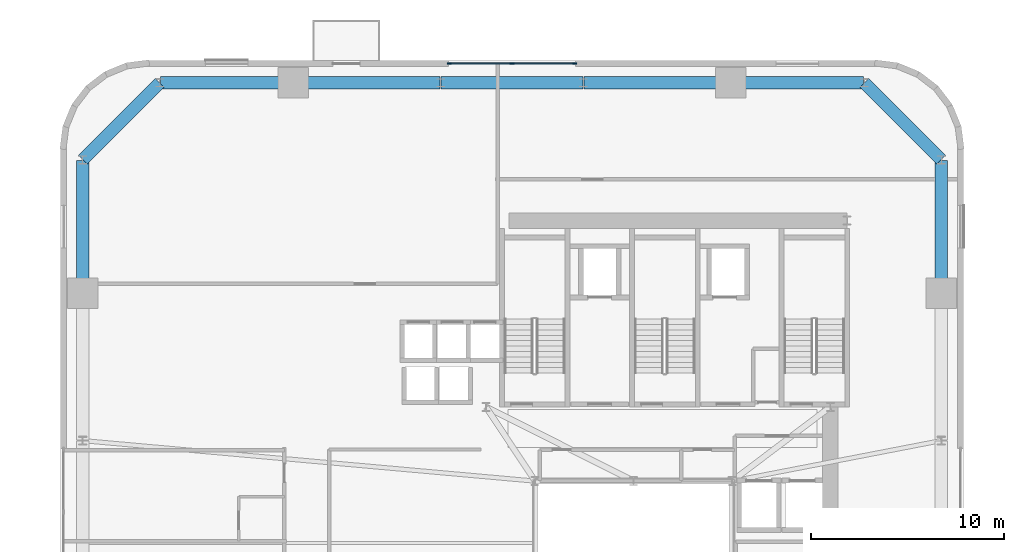
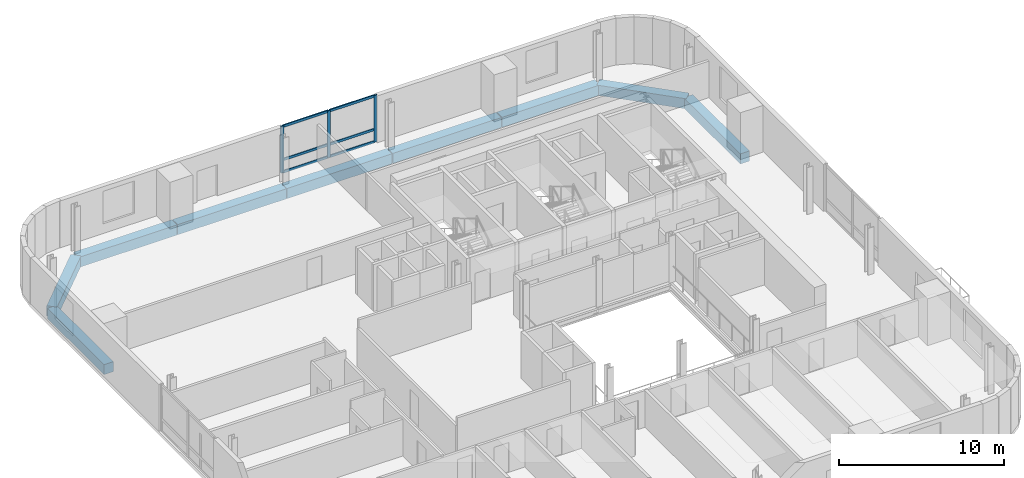
# One storey, part 4 of 14: 9 beams, 9 members, 1 element without a shape of its own.
"""IFC4 building model written with IfcOpenShell, lengths in metres."""

from ifc_helpers import new_model, si_unit, direction, frame, origin, origin_2d, place, context, subcontext, project, spatial, rectangle, extrude, source, transform, mapped, material, material_profile, profile_set, type_object, element, aggregate, save


model = new_model("IFC4")

# Units and contexts
model_context = context("Model", 3, precision=1e-05, world=origin(), true_north=direction((0.0, 1.0)))
body_context = subcontext(model_context, "Body", "Model", "MODEL_VIEW")
ifc_project = project(units=[si_unit("LENGTHUNIT", "METRE"), si_unit("AREAUNIT", "SQUARE_METRE"), si_unit("VOLUMEUNIT", "CUBIC_METRE"), si_unit("PLANEANGLEUNIT", "RADIAN"), si_unit("MASSUNIT", "GRAM", prefix="KILO")], contexts=[model_context])

# Site, building, storey
site_placement = place(None, origin())
site = spatial("IfcSite", under=ifc_project, at=site_placement, CompositionType="ELEMENT")
building_placement = place(site_placement, origin())
building = spatial("IfcBuilding", under=site, at=building_placement, Name="Vardaveli Station Tower", CompositionType="ELEMENT")
storey_placement = place(building_placement, frame((0.0, 0.0, 129.800048828125)))
storey = spatial("IfcBuildingStorey", under=building, at=storey_placement, Name="L33", CompositionType="ELEMENT", Elevation=129.800048828125)

# Beams
ifc_material_1 = material(Name="Precast concrete C45/55", Category="concrete")
ifc_material_profile_1 = material_profile(ifc_material_1, rectangle(XDim=0.64990234375, YDim=0.75, at=origin_2d()), Name="LPB 650x750")
ifc_profile_set_1 = profile_set([ifc_material_profile_1], Name="Precast concrete C45/55")
beam_type = type_object("IfcBeamType", Name="BM-LPB-750", PredefinedType="BEAM", material=ifc_profile_set_1)
shared_shape_1 = source(origin(), body_context, "Body", "SweptSolid", [
    extrude(rectangle(XDim=0.64990234375, YDim=0.75, at=origin_2d()), origin(), (0.0, 0.0, 1.0), 7.60009765625),
])
for number, where, z_axis, x_axis, name in (
    (1, (41.320068359375, 47.449951171875, -0.614990234375), (-1.0, 0.0, 0.0), (0.0, -1.0, 0.0), "RBM-L33-13"),
    (2, (26.280029296875, 47.449951171875, -0.614990234375), (-1.0, 0.0, 0.0), (0.0, -1.0, 0.0), "RBM-L33-15"),
):
    element("IfcBeam", number, at=place(storey_placement, frame(where, z_axis=z_axis, x_axis=x_axis)), inside=storey, type_object=beam_type, Name=name, PredefinedType="BEAM", context=body_context, shape_type="MappedRepresentation", body=[
        mapped(shared_shape_1, transform((0.0, 0.0, 0.0), scale=1.0)),
    ])
shared_shape_2 = source(origin(), body_context, "Body", "SweptSolid", [
    extrude(rectangle(XDim=0.64990234375, YDim=0.75, at=origin_2d()), origin(), (0.0, 0.0, 1.0), 7.35986328125),
])
beam_placement = place(storey_placement, frame((33.679931640625, 47.449951171875, -0.614990234375), z_axis=(-1.0, 0.0, 0.0), x_axis=(0.0, -1.0, 0.0)))
element("IfcBeam", 3, at=beam_placement, inside=storey, type_object=beam_type, Name="RBM-L33-14", PredefinedType="BEAM", context=body_context, shape_type="MappedRepresentation", body=[
    mapped(shared_shape_2, transform((0.0, 0.0, 0.0), scale=1.0)),
])
shared_shape_3 = source(origin(), body_context, "Body", "SweptSolid", [
    extrude(rectangle(XDim=0.64990234375, YDim=0.75, at=origin_2d()), origin(), (0.0, 0.0, 1.0), 6.869873046875),
])
for number, where, z_axis, x_axis, name in (
    (4, (52.25, 36.56005859375, -0.614990234375), (0.0, 1.0, 0.0), (-1.0, 0.0, 0.0), "RBM-L33-10"),
    (5, (48.22998046875, 47.449951171875, -0.614990234375), (-1.0, 0.0, 0.0), (0.0, -1.0, 0.0), "RBM-L33-12"),
    (6, (18.639892578125, 47.449951171875, -0.614990234375), (-1.0, 0.0, 0.0), (0.0, -1.0, 0.0), "RBM-L33-16"),
    (7, (7.75, 43.429931640625, -0.614990234375), (0.0, -1.0, 0.0), (1.0, 0.0, 0.0), "RBM-L33-18"),
):
    element("IfcBeam", number, at=place(storey_placement, frame(where, z_axis=z_axis, x_axis=x_axis)), inside=storey, type_object=beam_type, Name=name, PredefinedType="BEAM", context=body_context, shape_type="MappedRepresentation", body=[
        mapped(shared_shape_3, transform((0.0, 0.0, 0.0), scale=1.0)),
    ])
shared_shape_4 = source(origin(), body_context, "Body", "SweptSolid", [
    extrude(rectangle(XDim=0.64990234375, YDim=0.75, at=origin_2d()), origin(), (0.0, 0.0, 1.0), 5.61669921875),
])
for number, where, z_axis, x_axis, name in (
    (8, (52.23583984375, 43.464111328125, -0.614990234375), (-0.707106781187, 0.707106781187, 0.0), (-0.707106781187, -0.707106781187, 0.0), "RBM-L33-11"),
    (9, (11.73583984375, 47.435791015625, -0.614990234375), (-0.707106781187, -0.707106781187, 0.0), (0.707106781187, -0.707106781187, 0.0), "RBM-L33-17"),
):
    element("IfcBeam", number, at=place(storey_placement, frame(where, z_axis=z_axis, x_axis=x_axis)), inside=storey, type_object=beam_type, Name=name, PredefinedType="BEAM", context=body_context, shape_type="MappedRepresentation", body=[
        mapped(shared_shape_4, transform((0.0, 0.0, 0.0), scale=1.0)),
    ])

# Curtain wall, members
ifc_material_2 = material(Name="Travertine stone and solar-control glass", Category="masonry")
curtain_wall_type = type_object("IfcCurtainWallType", Name="CW-SYS-2", PredefinedType="NOTDEFINED", material=ifc_material_2)
curtain_wall_placement = place(storey_placement, origin())
curtain_wall = element("IfcCurtainWall", 10, at=curtain_wall_placement, inside=storey, type_object=curtain_wall_type, Name="CW-L33-N", PredefinedType="NOTDEFINED")
ifc_material_3 = material(Name="Anodised aluminium alloy 6063-T6", Category="aluminium")
ifc_material_profile_2 = material_profile(ifc_material_3, rectangle(XDim=0.0849609375, YDim=0.179931640625, at=origin_2d()), Name="CWT 85x180")
ifc_profile_set_2 = profile_set([ifc_material_profile_2], Name="Anodised aluminium alloy 6063-T6")
member_type_1 = type_object("IfcMemberType", Name="CW-SYS-2-TRAN", PredefinedType="NOTDEFINED", material=ifc_profile_set_2)
shared_shape_5 = source(origin(), body_context, "Body", "SweptSolid", [
    extrude(rectangle(XDim=0.0849609375, YDim=0.179931640625, at=origin_2d()), origin(), (0.0, 0.0, 1.0), 3.172607421875),
])
member_1_placement = place(storey_placement, frame((33.215087890625, 48.43994140625, 0.04248046875), z_axis=(-1.0, 0.0, 0.0), x_axis=(0.0, -1.0, 0.0)))
member_1 = element("IfcMember", 11, at=member_1_placement, type_object=member_type_1, Name="CW-2 transom 1.1", ObjectType="TRANSOM", PredefinedType="USERDEFINED", context=body_context, shape_type="MappedRepresentation", body=[
    mapped(shared_shape_5, transform((0.0, 0.0, 0.0), scale=1.0)),
])
member_2_placement = place(storey_placement, frame((33.215087890625, 48.43994140625, 0.949951171875), z_axis=(-1.0, 0.0, 0.0), x_axis=(0.0, -1.0, 0.0)))
member_2 = element("IfcMember", 12, at=member_2_placement, type_object=member_type_1, Name="CW-2 transom 1.2", ObjectType="TRANSOM", PredefinedType="USERDEFINED", context=body_context, shape_type="MappedRepresentation", body=[
    mapped(shared_shape_5, transform((0.0, 0.0, 0.0), scale=1.0)),
])
member_3_placement = place(storey_placement, frame((33.215087890625, 48.43994140625, 3.41748046875), z_axis=(-1.0, 0.0, 0.0), x_axis=(0.0, -1.0, 0.0)))
member_3 = element("IfcMember", 13, at=member_3_placement, type_object=member_type_1, Name="CW-2 transom 1.3", ObjectType="TRANSOM", PredefinedType="USERDEFINED", context=body_context, shape_type="MappedRepresentation", body=[
    mapped(shared_shape_5, transform((0.0, 0.0, 0.0), scale=1.0)),
])
member_4_placement = place(storey_placement, frame((29.95751953125, 48.43994140625, 0.04248046875), z_axis=(-1.0, 0.0, 0.0), x_axis=(0.0, -1.0, 0.0)))
member_4 = element("IfcMember", 14, at=member_4_placement, type_object=member_type_1, Name="CW-2 transom 2.1", ObjectType="TRANSOM", PredefinedType="USERDEFINED", context=body_context, shape_type="MappedRepresentation", body=[
    mapped(shared_shape_5, transform((0.0, 0.0, 0.0), scale=1.0)),
])
member_5_placement = place(storey_placement, frame((29.95751953125, 48.43994140625, 0.949951171875), z_axis=(-1.0, 0.0, 0.0), x_axis=(0.0, -1.0, 0.0)))
member_5 = element("IfcMember", 15, at=member_5_placement, type_object=member_type_1, Name="CW-2 transom 2.2", ObjectType="TRANSOM", PredefinedType="USERDEFINED", context=body_context, shape_type="MappedRepresentation", body=[
    mapped(shared_shape_5, transform((0.0, 0.0, 0.0), scale=1.0)),
])
member_6_placement = place(storey_placement, frame((29.95751953125, 48.43994140625, 3.41748046875), z_axis=(-1.0, 0.0, 0.0), x_axis=(0.0, -1.0, 0.0)))
member_6 = element("IfcMember", 16, at=member_6_placement, type_object=member_type_1, Name="CW-2 transom 2.3", ObjectType="TRANSOM", PredefinedType="USERDEFINED", context=body_context, shape_type="MappedRepresentation", body=[
    mapped(shared_shape_5, transform((0.0, 0.0, 0.0), scale=1.0)),
])
ifc_material_profile_3 = material_profile(ifc_material_3, rectangle(XDim=0.0849609375, YDim=0.219970703125, at=origin_2d()), Name="CWM 85x220")
ifc_profile_set_3 = profile_set([ifc_material_profile_3], Name="Anodised aluminium alloy 6063-T6")
member_type_2 = type_object("IfcMemberType", Name="CW-SYS-2-MULL", PredefinedType="MULLION", material=ifc_profile_set_3)
shared_shape_6 = source(origin(), body_context, "Body", "SweptSolid", [
    extrude(rectangle(XDim=0.0849609375, YDim=0.219970703125, at=origin_2d()), origin(), (0.0, 0.0, 1.0), 3.4599609375),
])
member_7_placement = place(storey_placement, frame((33.257568359375, 48.43994140625, 0.0), z_axis=(0.0, 0.0, 1.0), x_axis=(0.0, -1.0, 0.0)))
member_7 = element("IfcMember", 17, at=member_7_placement, type_object=member_type_2, Name="CW-2 mullion 1", PredefinedType="MULLION", context=body_context, shape_type="MappedRepresentation", body=[
    mapped(shared_shape_6, transform((0.0, 0.0, 0.0), scale=1.0)),
])
member_8_placement = place(storey_placement, frame((30.0, 48.43994140625, 0.0), z_axis=(0.0, 0.0, 1.0), x_axis=(0.0, -1.0, 0.0)))
member_8 = element("IfcMember", 18, at=member_8_placement, type_object=member_type_2, Name="CW-2 mullion 2", PredefinedType="MULLION", context=body_context, shape_type="MappedRepresentation", body=[
    mapped(shared_shape_6, transform((0.0, 0.0, 0.0), scale=1.0)),
])
member_9_placement = place(storey_placement, frame((26.742431640625, 48.43994140625, 0.0), z_axis=(0.0, 0.0, 1.0), x_axis=(0.0, -1.0, 0.0)))
member_9 = element("IfcMember", 19, at=member_9_placement, type_object=member_type_2, Name="CW-2 mullion 3", PredefinedType="MULLION", context=body_context, shape_type="MappedRepresentation", body=[
    mapped(shared_shape_6, transform((0.0, 0.0, 0.0), scale=1.0)),
])
aggregate(curtain_wall, [member_7, member_8, member_9, member_1, member_2, member_3, member_4, member_5, member_6])

save(model, "model.ifc")
